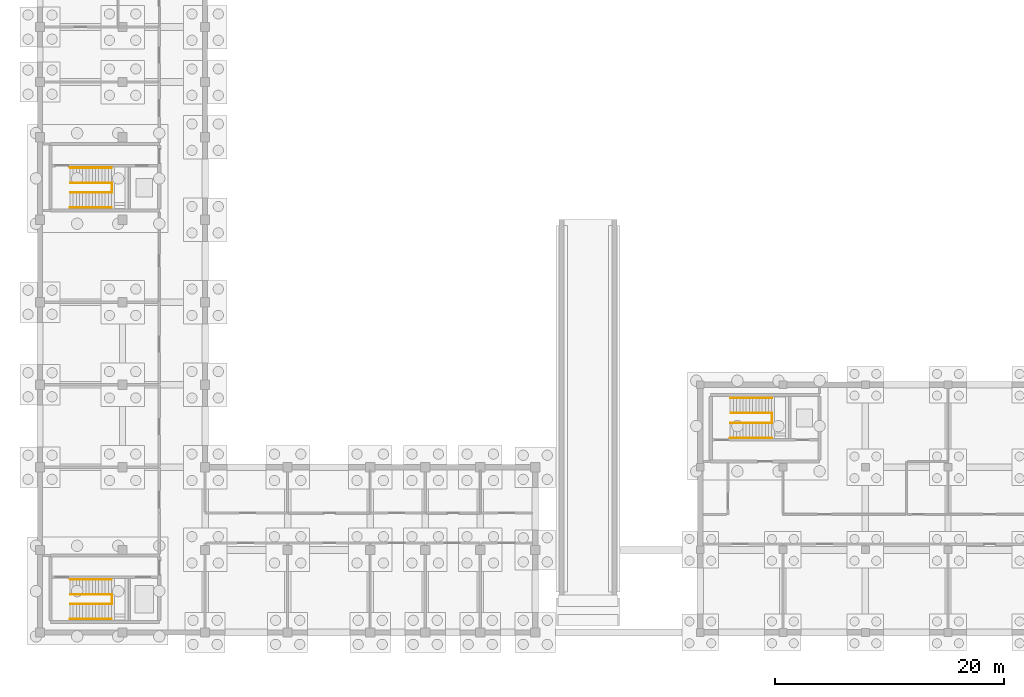
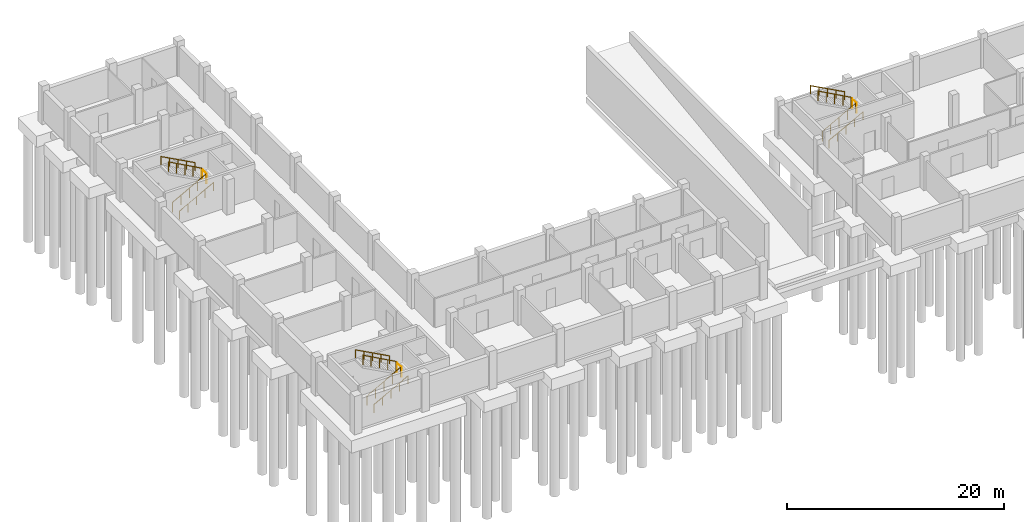
# One storey, part 9 of 10: 15 railings.
"""IFC4 building model written with IfcOpenShell, lengths in metres."""

from ifc_helpers import new_model, si_unit, direction, frame, origin, origin_2d, place, context, subcontext, project, spatial, circle, extrude, material, type_object, element, save


model = new_model("IFC4")

# Units and contexts
model_context = context("Model", 3, precision=1e-05, world=origin(), true_north=direction((0.0, 1.0)))
body_context = subcontext(model_context, "Body", "Model", "MODEL_VIEW")
ifc_project = project(units=[si_unit("LENGTHUNIT", "METRE"), si_unit("AREAUNIT", "SQUARE_METRE"), si_unit("VOLUMEUNIT", "CUBIC_METRE"), si_unit("PLANEANGLEUNIT", "RADIAN"), si_unit("MASSUNIT", "GRAM", prefix="KILO")], contexts=[model_context])

# Site, building, storey
site_placement = place(None, origin())
site = spatial("IfcSite", under=ifc_project, at=site_placement, CompositionType="ELEMENT")
building_placement = place(site_placement, origin())
building = spatial("IfcBuilding", under=site, at=building_placement, Name="Zornivar Specialist Clinic", CompositionType="ELEMENT")
storey_placement = place(building_placement, frame((0.0, 0.0, -4.199951171875)))
storey = spatial("IfcBuildingStorey", under=building, at=storey_placement, Name="B1", CompositionType="ELEMENT", Elevation=-4.199951171875)

# Railings
ifc_material_1 = material(Name="Brushed Stainless Steel Stair Guardrail", Category="steel")
railing_type_1 = type_object("IfcRailingType", Name="GRD-INT-STAIR-1100", PredefinedType="GUARDRAIL", material=ifc_material_1)
railing_1_placement = place(storey_placement, frame((2.639892578125, 2.47998046875, 0.14990234375)))
element("IfcRailing", 1, at=railing_1_placement, inside=storey, type_object=railing_type_1, Name="stair:C1:B1:grd1", PredefinedType="GUARDRAIL", context=body_context, shape_type="SweptSolid", body=[
    extrude(circle(Radius=0.02392578125, at=origin_2d()), frame((0.0, 0.0, 1.076171875), z_axis=(0.877055240213, 0.0, 0.480389535289), x_axis=(0.0, 1.0, 0.0)), (0.0, 0.0, 1.0), 4.05908203125),
    extrude(circle(Radius=0.02099609375, at=origin_2d()), origin(), (0.0, 0.0, 1.0), 1.052001953125),
    extrude(circle(Radius=0.02099609375, at=origin_2d()), frame((0.89013671875, 0.0, 0.487548828125)), (0.0, 0.0, 1.0), 1.052001953125),
    extrude(circle(Radius=0.02099609375, at=origin_2d()), frame((1.780029296875, 0.0, 0.97509765625)), (0.0, 0.0, 1.0), 1.052001953125),
    extrude(circle(Radius=0.02099609375, at=origin_2d()), frame((2.669921875, 0.0, 1.46240234375)), (0.0, 0.0, 1.0), 1.052001953125),
    extrude(circle(Radius=0.02099609375, at=origin_2d()), frame((3.56005859375, 0.0, 1.949951171875)), (0.0, 0.0, 1.0), 1.052001953125),
])
railing_2_placement = place(storey_placement, frame((6.199951171875, 3.320068359375, 2.25)))
element("IfcRailing", 2, at=railing_2_placement, inside=storey, type_object=railing_type_1, Name="stair:C1:B1:grd2", PredefinedType="GUARDRAIL", context=body_context, shape_type="SweptSolid", body=[
    extrude(circle(Radius=0.02392578125, at=origin_2d()), frame((0.0, 0.0, 1.076171875), z_axis=(-0.875909636036, 0.0, 0.482475190553), x_axis=(0.0, -1.0, 0.0)), (0.0, 0.0, 1.0), 4.04150390625),
    extrude(circle(Radius=0.02099609375, at=origin_2d()), origin(), (0.0, 0.0, 1.0), 1.052001953125),
    extrude(circle(Radius=0.02099609375, at=origin_2d()), frame((-0.885009765625, 0.0, 0.487548828125)), (0.0, 0.0, 1.0), 1.052001953125),
    extrude(circle(Radius=0.02099609375, at=origin_2d()), frame((-1.77001953125, 0.0, 0.97509765625)), (0.0, 0.0, 1.0), 1.052001953125),
    extrude(circle(Radius=0.02099609375, at=origin_2d()), frame((-2.655029296875, 0.0, 1.46240234375)), (0.0, 0.0, 1.0), 1.052001953125),
    extrude(circle(Radius=0.02099609375, at=origin_2d()), frame((-3.5400390625, 0.0, 1.949951171875)), (0.0, 0.0, 1.0), 1.052001953125),
])
railing_3_placement = place(storey_placement, frame((6.27001953125, 2.47998046875, 2.099853515625)))
element("IfcRailing", 3, at=railing_3_placement, inside=storey, type_object=railing_type_1, Name="stair:C1:B1:grdl", PredefinedType="GUARDRAIL", context=body_context, shape_type="SweptSolid", body=[
    extrude(circle(Radius=0.02392578125, at=origin_2d()), frame((0.0, 0.0, 1.076171875), z_axis=(0.0, 1.0, 0.0), x_axis=(-1.0, 0.0, 0.0)), (0.0, 0.0, 1.0), 0.840087890625),
    extrude(circle(Radius=0.02099609375, at=origin_2d()), origin(), (0.0, 0.0, 1.0), 1.052001953125),
    extrude(circle(Radius=0.02099609375, at=origin_2d()), frame((0.0, 0.840087890625, 0.0)), (0.0, 0.0, 1.0), 1.052001953125),
])
railing_4_placement = place(storey_placement, frame((2.639892578125, 38.3798828125, 0.14990234375)))
element("IfcRailing", 4, at=railing_4_placement, inside=storey, type_object=railing_type_1, Name="stair:C2:B1:grd1", PredefinedType="GUARDRAIL", context=body_context, shape_type="SweptSolid", body=[
    extrude(circle(Radius=0.02392578125, at=origin_2d()), frame((0.0, 0.0, 1.076171875), z_axis=(0.877055240213, 0.0, 0.480389535289), x_axis=(0.0, 1.0, 0.0)), (0.0, 0.0, 1.0), 4.05908203125),
    extrude(circle(Radius=0.02099609375, at=origin_2d()), origin(), (0.0, 0.0, 1.0), 1.052001953125),
    extrude(circle(Radius=0.02099609375, at=origin_2d()), frame((0.89013671875, 0.0, 0.487548828125)), (0.0, 0.0, 1.0), 1.052001953125),
    extrude(circle(Radius=0.02099609375, at=origin_2d()), frame((1.780029296875, 0.0, 0.97509765625)), (0.0, 0.0, 1.0), 1.052001953125),
    extrude(circle(Radius=0.02099609375, at=origin_2d()), frame((2.669921875, 0.0, 1.46240234375)), (0.0, 0.0, 1.0), 1.052001953125),
    extrude(circle(Radius=0.02099609375, at=origin_2d()), frame((3.56005859375, 0.0, 1.949951171875)), (0.0, 0.0, 1.0), 1.052001953125),
])
railing_5_placement = place(storey_placement, frame((6.199951171875, 39.219970703125, 2.25)))
element("IfcRailing", 5, at=railing_5_placement, inside=storey, type_object=railing_type_1, Name="stair:C2:B1:grd2", PredefinedType="GUARDRAIL", context=body_context, shape_type="SweptSolid", body=[
    extrude(circle(Radius=0.02392578125, at=origin_2d()), frame((0.0, 0.0, 1.076171875), z_axis=(-0.875909636036, 0.0, 0.482475190553), x_axis=(0.0, -1.0, 0.0)), (0.0, 0.0, 1.0), 4.04150390625),
    extrude(circle(Radius=0.02099609375, at=origin_2d()), origin(), (0.0, 0.0, 1.0), 1.052001953125),
    extrude(circle(Radius=0.02099609375, at=origin_2d()), frame((-0.885009765625, 0.0, 0.487548828125)), (0.0, 0.0, 1.0), 1.052001953125),
    extrude(circle(Radius=0.02099609375, at=origin_2d()), frame((-1.77001953125, 0.0, 0.97509765625)), (0.0, 0.0, 1.0), 1.052001953125),
    extrude(circle(Radius=0.02099609375, at=origin_2d()), frame((-2.655029296875, 0.0, 1.46240234375)), (0.0, 0.0, 1.0), 1.052001953125),
    extrude(circle(Radius=0.02099609375, at=origin_2d()), frame((-3.5400390625, 0.0, 1.949951171875)), (0.0, 0.0, 1.0), 1.052001953125),
])
railing_6_placement = place(storey_placement, frame((6.27001953125, 38.3798828125, 2.099853515625)))
element("IfcRailing", 6, at=railing_6_placement, inside=storey, type_object=railing_type_1, Name="stair:C2:B1:grdl", PredefinedType="GUARDRAIL", context=body_context, shape_type="SweptSolid", body=[
    extrude(circle(Radius=0.02392578125, at=origin_2d()), frame((0.0, 0.0, 1.076171875), z_axis=(0.0, 1.0, 0.0), x_axis=(-1.0, 0.0, 0.0)), (0.0, 0.0, 1.0), 0.840087890625),
    extrude(circle(Radius=0.02099609375, at=origin_2d()), origin(), (0.0, 0.0, 1.0), 1.052001953125),
    extrude(circle(Radius=0.02099609375, at=origin_2d()), frame((0.0, 0.840087890625, 0.0)), (0.0, 0.0, 1.0), 1.052001953125),
])
railing_7_placement = place(storey_placement, frame((60.239990234375, 18.280029296875, 0.14990234375)))
element("IfcRailing", 7, at=railing_7_placement, inside=storey, type_object=railing_type_1, Name="stair:C5:B1:grd1", PredefinedType="GUARDRAIL", context=body_context, shape_type="SweptSolid", body=[
    extrude(circle(Radius=0.02392578125, at=origin_2d()), frame((0.0, 0.0, 1.076171875), z_axis=(0.877055240213, 0.0, 0.480389535289), x_axis=(0.0, 1.0, 0.0)), (0.0, 0.0, 1.0), 4.05908203125),
    extrude(circle(Radius=0.02099609375, at=origin_2d()), origin(), (0.0, 0.0, 1.0), 1.052001953125),
    extrude(circle(Radius=0.02099609375, at=origin_2d()), frame((0.89013671875, 0.0, 0.487548828125)), (0.0, 0.0, 1.0), 1.052001953125),
    extrude(circle(Radius=0.02099609375, at=origin_2d()), frame((1.780029296875, 0.0, 0.97509765625)), (0.0, 0.0, 1.0), 1.052001953125),
    extrude(circle(Radius=0.02099609375, at=origin_2d()), frame((2.669921875, 0.0, 1.46240234375)), (0.0, 0.0, 1.0), 1.052001953125),
    extrude(circle(Radius=0.02099609375, at=origin_2d()), frame((3.56005859375, 0.0, 1.949951171875)), (0.0, 0.0, 1.0), 1.052001953125),
])
railing_8_placement = place(storey_placement, frame((63.800048828125, 19.1201171875, 2.25)))
element("IfcRailing", 8, at=railing_8_placement, inside=storey, type_object=railing_type_1, Name="stair:C5:B1:grd2", PredefinedType="GUARDRAIL", context=body_context, shape_type="SweptSolid", body=[
    extrude(circle(Radius=0.02392578125, at=origin_2d()), frame((0.0, 0.0, 1.076171875), z_axis=(-0.875909636036, 0.0, 0.482475190553), x_axis=(0.0, -1.0, 0.0)), (0.0, 0.0, 1.0), 4.04150390625),
    extrude(circle(Radius=0.02099609375, at=origin_2d()), origin(), (0.0, 0.0, 1.0), 1.052001953125),
    extrude(circle(Radius=0.02099609375, at=origin_2d()), frame((-0.885009765625, 0.0, 0.487548828125)), (0.0, 0.0, 1.0), 1.052001953125),
    extrude(circle(Radius=0.02099609375, at=origin_2d()), frame((-1.77001953125, 0.0, 0.97509765625)), (0.0, 0.0, 1.0), 1.052001953125),
    extrude(circle(Radius=0.02099609375, at=origin_2d()), frame((-2.655029296875, 0.0, 1.46240234375)), (0.0, 0.0, 1.0), 1.052001953125),
    extrude(circle(Radius=0.02099609375, at=origin_2d()), frame((-3.5400390625, 0.0, 1.949951171875)), (0.0, 0.0, 1.0), 1.052001953125),
])
railing_9_placement = place(storey_placement, frame((63.8701171875, 18.280029296875, 2.099853515625)))
element("IfcRailing", 9, at=railing_9_placement, inside=storey, type_object=railing_type_1, Name="stair:C5:B1:grdl", PredefinedType="GUARDRAIL", context=body_context, shape_type="SweptSolid", body=[
    extrude(circle(Radius=0.02392578125, at=origin_2d()), frame((0.0, 0.0, 1.076171875), z_axis=(0.0, 1.0, 0.0), x_axis=(-1.0, 0.0, 0.0)), (0.0, 0.0, 1.0), 0.840087890625),
    extrude(circle(Radius=0.02099609375, at=origin_2d()), origin(), (0.0, 0.0, 1.0), 1.052001953125),
    extrude(circle(Radius=0.02099609375, at=origin_2d()), frame((0.0, 0.840087890625, 0.0)), (0.0, 0.0, 1.0), 1.052001953125),
])
ifc_material_2 = material(Name="Brushed Stainless Steel Continuous Handrail", Category="steel")
railing_type_2 = type_object("IfcRailingType", Name="HRL-STAIR-0920", PredefinedType="HANDRAIL", material=ifc_material_2)
railing_10_placement = place(storey_placement, frame((2.60009765625, 1.169921875, 0.14990234375)))
element("IfcRailing", 10, at=railing_10_placement, inside=storey, type_object=railing_type_2, Name="stair:C1:B1:hr1", PredefinedType="HANDRAIL", context=body_context, shape_type="SweptSolid", body=[
    extrude(circle(Radius=0.02392578125, at=origin_2d()), frame((0.0, 0.0, 0.89599609375), z_axis=(0.881479091078, 0.0, 0.472223053219), x_axis=(0.0, 1.0, 0.0)), (0.0, 0.0, 1.0), 4.12939453125),
    extrude(circle(Radius=0.02099609375, at=origin_2d()), origin(), (0.0, 0.0, 1.0), 0.871826171875),
    extrude(circle(Radius=0.02099609375, at=origin_2d()), frame((0.909912109375, 0.0, 0.487548828125)), (0.0, 0.0, 1.0), 0.871826171875),
    extrude(circle(Radius=0.02099609375, at=origin_2d()), frame((1.81982421875, 0.0, 0.97509765625)), (0.0, 0.0, 1.0), 0.871826171875),
    extrude(circle(Radius=0.02099609375, at=origin_2d()), frame((2.72998046875, 0.0, 1.46240234375)), (0.0, 0.0, 1.0), 0.871826171875),
    extrude(circle(Radius=0.02099609375, at=origin_2d()), frame((3.639892578125, 0.0, 1.949951171875)), (0.0, 0.0, 1.0), 0.871826171875),
])
railing_11_placement = place(storey_placement, frame((6.239990234375, 4.6298828125, 2.25)))
element("IfcRailing", 11, at=railing_11_placement, inside=storey, type_object=railing_type_2, Name="stair:C1:B1:hr2", PredefinedType="HANDRAIL", context=body_context, shape_type="SweptSolid", body=[
    extrude(circle(Radius=0.02392578125, at=origin_2d()), frame((0.0, 0.0, 0.89599609375), z_axis=(-0.880391009376, 0.0, 0.474248532534), x_axis=(0.0, -1.0, 0.0)), (0.0, 0.0, 1.0), 4.111572265625),
    extrude(circle(Radius=0.02099609375, at=origin_2d()), origin(), (0.0, 0.0, 1.0), 0.871826171875),
    extrude(circle(Radius=0.02099609375, at=origin_2d()), frame((-0.905029296875, 0.0, 0.487548828125)), (0.0, 0.0, 1.0), 0.871826171875),
    extrude(circle(Radius=0.02099609375, at=origin_2d()), frame((-1.81005859375, 0.0, 0.97509765625)), (0.0, 0.0, 1.0), 0.871826171875),
    extrude(circle(Radius=0.02099609375, at=origin_2d()), frame((-2.71484375, 0.0, 1.46240234375)), (0.0, 0.0, 1.0), 0.871826171875),
    extrude(circle(Radius=0.02099609375, at=origin_2d()), frame((-3.619873046875, 0.0, 1.949951171875)), (0.0, 0.0, 1.0), 0.871826171875),
])
railing_12_placement = place(storey_placement, frame((2.60009765625, 37.070068359375, 0.14990234375)))
element("IfcRailing", 12, at=railing_12_placement, inside=storey, type_object=railing_type_2, Name="stair:C2:B1:hr1", PredefinedType="HANDRAIL", context=body_context, shape_type="SweptSolid", body=[
    extrude(circle(Radius=0.02392578125, at=origin_2d()), frame((0.0, 0.0, 0.89599609375), z_axis=(0.881479091078, 0.0, 0.472223053219), x_axis=(0.0, 1.0, 0.0)), (0.0, 0.0, 1.0), 4.12939453125),
    extrude(circle(Radius=0.02099609375, at=origin_2d()), origin(), (0.0, 0.0, 1.0), 0.871826171875),
    extrude(circle(Radius=0.02099609375, at=origin_2d()), frame((0.909912109375, 0.0, 0.487548828125)), (0.0, 0.0, 1.0), 0.871826171875),
    extrude(circle(Radius=0.02099609375, at=origin_2d()), frame((1.81982421875, 0.0, 0.97509765625)), (0.0, 0.0, 1.0), 0.871826171875),
    extrude(circle(Radius=0.02099609375, at=origin_2d()), frame((2.72998046875, 0.0, 1.46240234375)), (0.0, 0.0, 1.0), 0.871826171875),
    extrude(circle(Radius=0.02099609375, at=origin_2d()), frame((3.639892578125, 0.0, 1.949951171875)), (0.0, 0.0, 1.0), 0.871826171875),
])
railing_13_placement = place(storey_placement, frame((6.239990234375, 40.530029296875, 2.25)))
element("IfcRailing", 13, at=railing_13_placement, inside=storey, type_object=railing_type_2, Name="stair:C2:B1:hr2", PredefinedType="HANDRAIL", context=body_context, shape_type="SweptSolid", body=[
    extrude(circle(Radius=0.02392578125, at=origin_2d()), frame((0.0, 0.0, 0.89599609375), z_axis=(-0.880391009376, 0.0, 0.474248532534), x_axis=(0.0, -1.0, 0.0)), (0.0, 0.0, 1.0), 4.111572265625),
    extrude(circle(Radius=0.02099609375, at=origin_2d()), origin(), (0.0, 0.0, 1.0), 0.871826171875),
    extrude(circle(Radius=0.02099609375, at=origin_2d()), frame((-0.905029296875, 0.0, 0.487548828125)), (0.0, 0.0, 1.0), 0.871826171875),
    extrude(circle(Radius=0.02099609375, at=origin_2d()), frame((-1.81005859375, 0.0, 0.97509765625)), (0.0, 0.0, 1.0), 0.871826171875),
    extrude(circle(Radius=0.02099609375, at=origin_2d()), frame((-2.71484375, 0.0, 1.46240234375)), (0.0, 0.0, 1.0), 0.871826171875),
    extrude(circle(Radius=0.02099609375, at=origin_2d()), frame((-3.619873046875, 0.0, 1.949951171875)), (0.0, 0.0, 1.0), 0.871826171875),
])
railing_14_placement = place(storey_placement, frame((60.199951171875, 16.969970703125, 0.14990234375)))
element("IfcRailing", 14, at=railing_14_placement, inside=storey, type_object=railing_type_2, Name="stair:C5:B1:hr1", PredefinedType="HANDRAIL", context=body_context, shape_type="SweptSolid", body=[
    extrude(circle(Radius=0.02392578125, at=origin_2d()), frame((0.0, 0.0, 0.89599609375), z_axis=(0.881492274372, 0.0, 0.472198443689), x_axis=(0.0, 1.0, 0.0)), (0.0, 0.0, 1.0), 4.12939453125),
    extrude(circle(Radius=0.02099609375, at=origin_2d()), origin(), (0.0, 0.0, 1.0), 0.871826171875),
    extrude(circle(Radius=0.02099609375, at=origin_2d()), frame((0.91015625, 0.0, 0.487548828125)), (0.0, 0.0, 1.0), 0.871826171875),
    extrude(circle(Radius=0.02099609375, at=origin_2d()), frame((1.820068359375, 0.0, 0.97509765625)), (0.0, 0.0, 1.0), 0.871826171875),
    extrude(circle(Radius=0.02099609375, at=origin_2d()), frame((2.72998046875, 0.0, 1.46240234375)), (0.0, 0.0, 1.0), 0.871826171875),
    extrude(circle(Radius=0.02099609375, at=origin_2d()), frame((3.64013671875, 0.0, 1.949951171875)), (0.0, 0.0, 1.0), 0.871826171875),
])
railing_15_placement = place(storey_placement, frame((63.840087890625, 20.429931640625, 2.25)))
element("IfcRailing", 15, at=railing_15_placement, inside=storey, type_object=railing_type_2, Name="stair:C5:B1:hr2", PredefinedType="HANDRAIL", context=body_context, shape_type="SweptSolid", body=[
    extrude(circle(Radius=0.02392578125, at=origin_2d()), frame((0.0, 0.0, 0.89599609375), z_axis=(-0.880404363034, 0.0, 0.474223742079), x_axis=(0.0, -1.0, 0.0)), (0.0, 0.0, 1.0), 4.11181640625),
    extrude(circle(Radius=0.02099609375, at=origin_2d()), origin(), (0.0, 0.0, 1.0), 0.871826171875),
    extrude(circle(Radius=0.02099609375, at=origin_2d()), frame((-0.905029296875, 0.0, 0.487548828125)), (0.0, 0.0, 1.0), 0.871826171875),
    extrude(circle(Radius=0.02099609375, at=origin_2d()), frame((-1.81005859375, 0.0, 0.97509765625)), (0.0, 0.0, 1.0), 0.871826171875),
    extrude(circle(Radius=0.02099609375, at=origin_2d()), frame((-2.715087890625, 0.0, 1.46240234375)), (0.0, 0.0, 1.0), 0.871826171875),
    extrude(circle(Radius=0.02099609375, at=origin_2d()), frame((-3.6201171875, 0.0, 1.949951171875)), (0.0, 0.0, 1.0), 0.871826171875),
])

save(model, "model.ifc")
